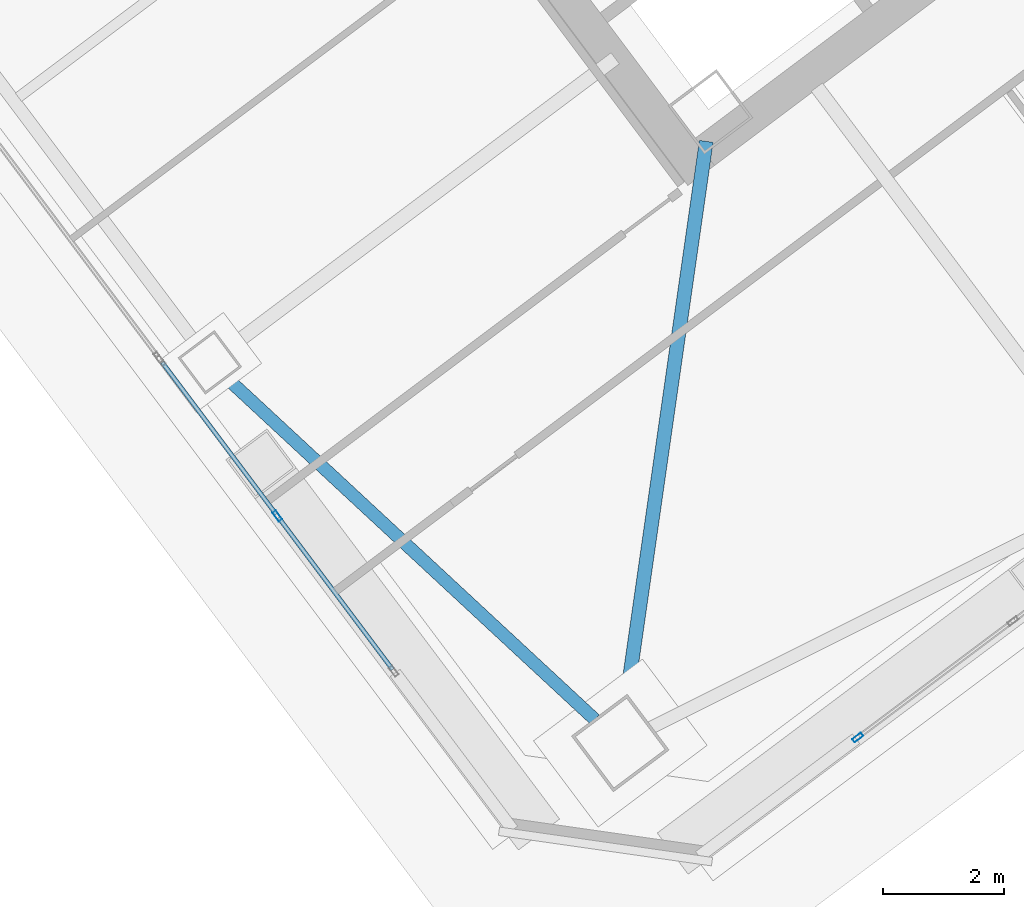
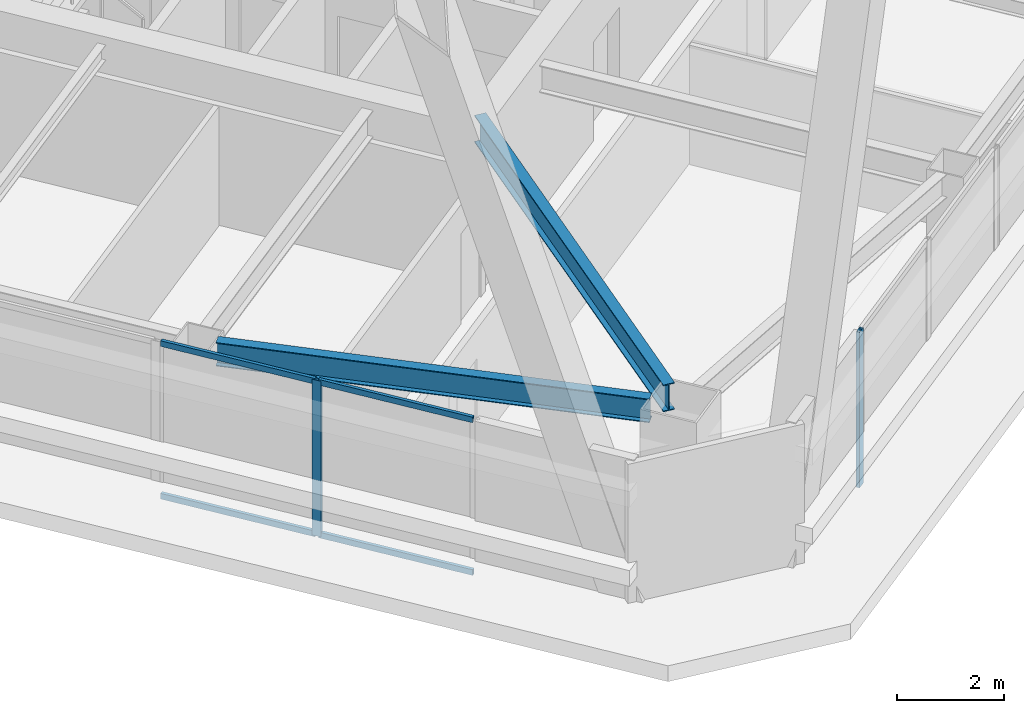
# One storey, part 29 of 65: 6 members, 2 beams, 2 elements without a shape of their own.
"""IFC4 building model written with IfcOpenShell, lengths in metres."""

from ifc_helpers import new_model, si_unit, direction, frame, origin, origin_2d, place, context, subcontext, project, spatial, hollow_rectangle, i_section, extrude, material, material_profile, profile_set, type_object, element, aggregate, save


model = new_model("IFC4")

# Units and contexts
model_context = context("Model", 3, precision=1e-05, world=origin(), true_north=direction((0.0, 1.0)))
body_context = subcontext(model_context, "Body", "Model", "MODEL_VIEW")
ifc_project = project(units=[si_unit("LENGTHUNIT", "METRE"), si_unit("AREAUNIT", "SQUARE_METRE"), si_unit("VOLUMEUNIT", "CUBIC_METRE"), si_unit("PLANEANGLEUNIT", "RADIAN"), si_unit("MASSUNIT", "GRAM", prefix="KILO")], contexts=[model_context])

# Site, building, storey
site_placement = place(None, origin())
site = spatial("IfcSite", under=ifc_project, at=site_placement, CompositionType="ELEMENT")
building_placement = place(site_placement, origin())
building = spatial("IfcBuilding", under=site, at=building_placement, Name="Tashvorn Skyway Center", CompositionType="ELEMENT")
storey_placement = place(building_placement, frame((0.0, 0.0, 157.0)))
storey = spatial("IfcBuildingStorey", under=building, at=storey_placement, Name="L42", CompositionType="ELEMENT", Elevation=157.0)

# Beams
ifc_material_1 = material(Name="Steel ASTM A992 Grade 50", Category="steel")
ifc_material_profile_1 = material_profile(ifc_material_1, i_section(OverallWidth=0.22998046875, OverallDepth=0.616943359375, WebThickness=0.01318359375, FlangeThickness=0.022216796875, at=origin_2d()), Name="W24X94")
ifc_profile_set_1 = profile_set([ifc_material_profile_1], Name="Steel ASTM A992 Grade 50")
beam_type_1 = type_object("IfcBeamType", Name="BM-BEAM-W24X94", PredefinedType="BEAM", material=ifc_profile_set_1)
beam_1_placement = place(storey_placement, frame((111.1806640625, 12.26416015625, 3.0615234375), z_axis=(0.141417747326, 0.989950009213, 0.0), x_axis=(-0.989950009213, 0.141417747326, 0.0)))
element("IfcBeam", 1, at=beam_1_placement, inside=storey, type_object=beam_type_1, Name="Tower 2 L42 Primary Floor Girder MC-SW", PredefinedType="BEAM", context=body_context, shape_type="SweptSolid", body=[
    extrude(i_section(OverallWidth=0.22998046875, OverallDepth=0.616943359375, WebThickness=0.01318359375, FlangeThickness=0.022216796875, at=origin_2d()), origin(), (0.0, 0.0, 1.0), 9.470947265625),
])
ifc_material_profile_2 = material_profile(ifc_material_1, i_section(OverallWidth=0.2109375, OverallDepth=0.5390625, WebThickness=0.01171875, FlangeThickness=0.018798828125, at=origin_2d()), Name="W21X73")
ifc_profile_set_2 = profile_set([ifc_material_profile_2], Name="Steel ASTM A992 Grade 50")
beam_type_2 = type_object("IfcBeamType", Name="BM-SPANDREL-W21X73", PredefinedType="SPANDREL", material=ifc_profile_set_2)
beam_2_placement = place(storey_placement, frame((104.59130859375, 17.73828125, 3.1005859375), z_axis=(0.733101115618, -0.680119661736, 0.0), x_axis=(0.680119661736, 0.733101115618, 0.0)))
element("IfcBeam", 2, at=beam_2_placement, inside=storey, type_object=beam_type_2, Name="Tower 2 L42 Spandrel Beam 12", PredefinedType="SPANDREL", context=body_context, shape_type="SweptSolid", body=[
    extrude(i_section(OverallWidth=0.2109375, OverallDepth=0.5390625, WebThickness=0.01171875, FlangeThickness=0.018798828125, at=origin_2d()), origin(), (0.0, 0.0, 1.0), 8.308349609375),
])

# Curtain wall, member
ifc_material_2 = material(Name="Thermally broken bronze-anodized aluminium 6063-T6", Category="aluminium")
curtain_wall_type = type_object("IfcCurtainWallType", Name="CW-CW-Z4", PredefinedType="NOTDEFINED", material=ifc_material_2)
curtain_wall_1_placement = place(storey_placement, origin())
curtain_wall_1 = element("IfcCurtainWall", 3, at=curtain_wall_1_placement, inside=storey, type_object=curtain_wall_type, Name="Tower 2 L42 South Unitised Curtain Wall Glazing Group 3", PredefinedType="NOTDEFINED")
ifc_material_profile_3 = material_profile(ifc_material_2, hollow_rectangle(XDim=0.070068359375, YDim=0.179931640625, WallThickness=0.00390625, at=origin_2d()), Name="ALU-MULL-70x180")
ifc_profile_set_3 = profile_set([ifc_material_profile_3], Name="Thermally broken bronze-anodized aluminium 6063-T6")
member_type_1 = type_object("IfcMemberType", Name="CWM-CW-Z4", PredefinedType="MULLION", material=ifc_profile_set_3)
member_1_placement = place(storey_placement, frame((115.02392578125, 11.79296875, 0.0), z_axis=(0.0, 0.0, 1.0), x_axis=(0.600000000002, -0.799999999998, 0.0)))
member_1 = element("IfcMember", 4, at=member_1_placement, type_object=member_type_1, Name="CW-Z4 mullion 3", PredefinedType="MULLION", context=body_context, shape_type="SweptSolid", body=[
    extrude(hollow_rectangle(XDim=0.070068359375, YDim=0.179931640625, WallThickness=0.00390625, at=origin_2d()), origin(), (0.0, 0.0, 1.0), 3.550048828125),
])
aggregate(curtain_wall_1, [member_1])

# Curtain wall, members
curtain_wall_2_placement = place(storey_placement, origin())
curtain_wall_2 = element("IfcCurtainWall", 5, at=curtain_wall_2_placement, inside=storey, type_object=curtain_wall_type, Name="Tower 2 L42 West Unitised Curtain Wall Glazing Group 1", PredefinedType="NOTDEFINED")
member_2_placement = place(storey_placement, frame((105.43603515625, 15.451904296875, 0.0), z_axis=(0.0, 0.0, 1.0), x_axis=(-0.799999999998, -0.600000000002, 0.0)))
member_2 = element("IfcMember", 6, at=member_2_placement, type_object=member_type_1, Name="CW-Z4 mullion 2", PredefinedType="MULLION", context=body_context, shape_type="SweptSolid", body=[
    extrude(hollow_rectangle(XDim=0.070068359375, YDim=0.179931640625, WallThickness=0.00390625, at=origin_2d()), origin(), (0.0, 0.0, 1.0), 3.550048828125),
])
ifc_material_profile_4 = material_profile(ifc_material_2, hollow_rectangle(XDim=0.070068359375, YDim=0.1298828125, WallThickness=0.00390625, at=origin_2d()), Name="ALU-TRAN-70x130")
ifc_profile_set_4 = profile_set([ifc_material_profile_4], Name="Thermally broken bronze-anodized aluminium 6063-T6")
member_type_2 = type_object("IfcMemberType", Name="CWT-CW-Z4", PredefinedType="USERDEFINED", material=ifc_profile_set_4)
member_3_placement = place(storey_placement, frame((107.337890625, 12.916015625, 0.034912109375), z_axis=(-0.599962618496, 0.800028034763, 0.0), x_axis=(-0.800028034763, -0.599962618496, 0.0)))
member_3 = element("IfcMember", 7, at=member_3_placement, type_object=member_type_2, Name="CW-Z4 transom 1.1", ObjectType="TRANSOM", PredefinedType="USERDEFINED", context=body_context, shape_type="SweptSolid", body=[
    extrude(hollow_rectangle(XDim=0.070068359375, YDim=0.1298828125, WallThickness=0.00390625, at=origin_2d()), origin(), (0.0, 0.0, 1.0), 3.135009765625),
])
member_4_placement = place(storey_placement, frame((107.337890625, 12.916015625, 3.514892578125), z_axis=(-0.599962618496, 0.800028034763, 0.0), x_axis=(-0.800028034763, -0.599962618496, 0.0)))
member_4 = element("IfcMember", 8, at=member_4_placement, type_object=member_type_2, Name="CW-Z4 transom 1.2", ObjectType="TRANSOM", PredefinedType="USERDEFINED", context=body_context, shape_type="SweptSolid", body=[
    extrude(hollow_rectangle(XDim=0.070068359375, YDim=0.1298828125, WallThickness=0.00390625, at=origin_2d()), origin(), (0.0, 0.0, 1.0), 3.135009765625),
])
member_5_placement = place(storey_placement, frame((105.4150390625, 15.47998046875, 0.034912109375), z_axis=(-0.600012459628, 0.799990655127, 0.0), x_axis=(-0.799990655127, -0.600012459628, 0.0)))
member_5 = element("IfcMember", 9, at=member_5_placement, type_object=member_type_2, Name="CW-Z4 transom 2.1", ObjectType="TRANSOM", PredefinedType="USERDEFINED", context=body_context, shape_type="SweptSolid", body=[
    extrude(hollow_rectangle(XDim=0.070068359375, YDim=0.1298828125, WallThickness=0.00390625, at=origin_2d()), origin(), (0.0, 0.0, 1.0), 3.135009765625),
])
member_6_placement = place(storey_placement, frame((105.4150390625, 15.47998046875, 3.514892578125), z_axis=(-0.600012459628, 0.799990655127, 0.0), x_axis=(-0.799990655127, -0.600012459628, 0.0)))
member_6 = element("IfcMember", 10, at=member_6_placement, type_object=member_type_2, Name="CW-Z4 transom 2.2", ObjectType="TRANSOM", PredefinedType="USERDEFINED", context=body_context, shape_type="SweptSolid", body=[
    extrude(hollow_rectangle(XDim=0.070068359375, YDim=0.1298828125, WallThickness=0.00390625, at=origin_2d()), origin(), (0.0, 0.0, 1.0), 3.135009765625),
])
aggregate(curtain_wall_2, [member_2, member_3, member_4, member_5, member_6])

save(model, "model.ifc")
